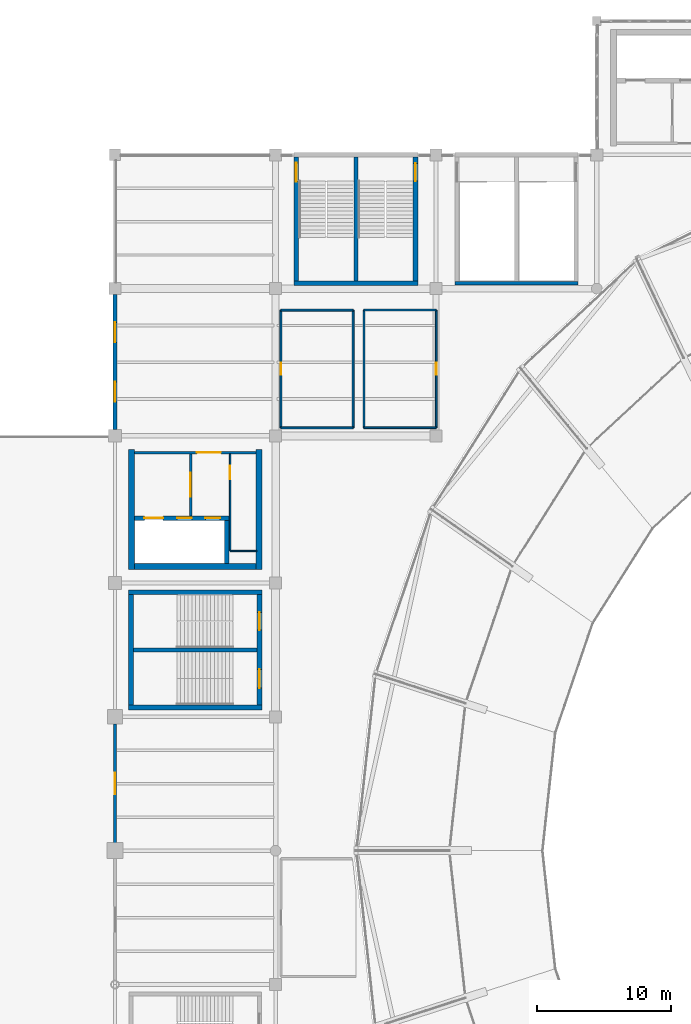
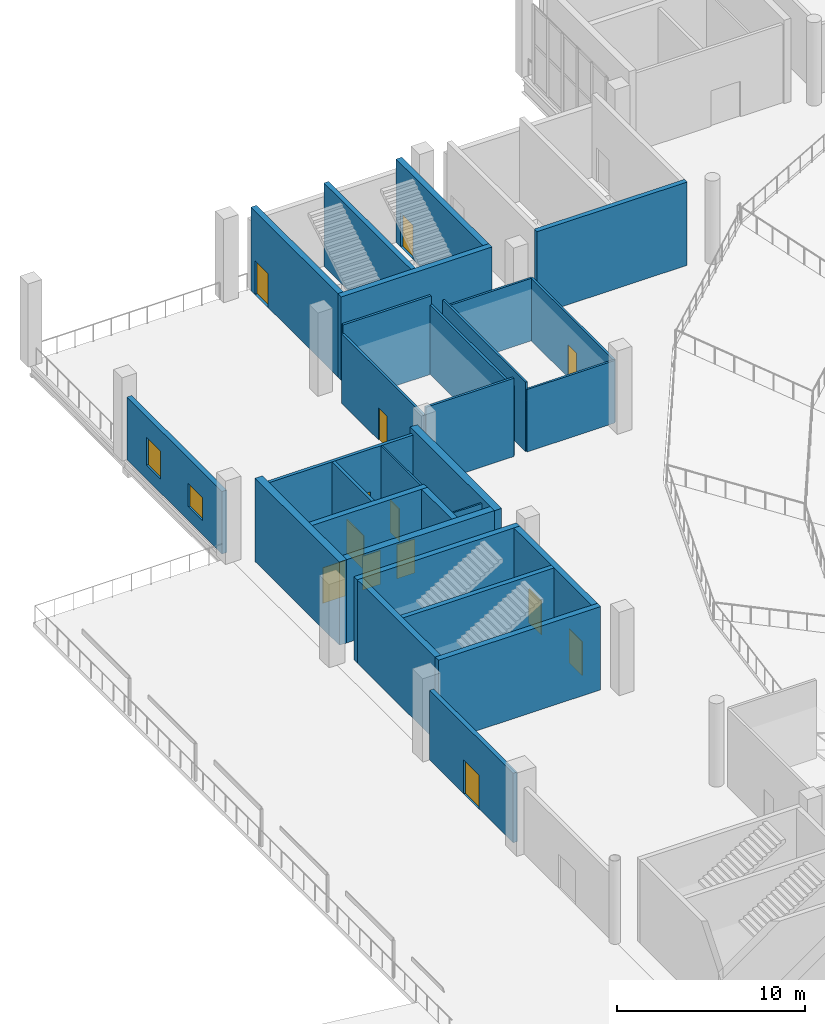
# One storey, part 53 of 74: 29 walls, 13 doors, 2 windows, 15 openings.
"""IFC4 building model written with IfcOpenShell, lengths in metres."""

import ifcopenshell
import ifcopenshell.guid

model = None  # the IFC model being written
_history = None  # IfcOwnerHistory: only IFC2X3 demands one
_inside = {}  # id of a spatial element -> (the spatial element, [elements in it])
_under = {}  # id of a project, library or spatial element -> (it, [spatial elements below it])
_declared = {}  # id of a project -> (the project, [libraries it declares])
_typed = {}  # id of a type object -> (the type object, [elements of that type])
_made_of = {}  # id of a material, layer set ... -> (it, [elements and type objects made of it])


def new_model(schema):
    """Start an empty IFC model of exactly this schema.

    Asked for "IFC4X3", IfcOpenShell would pick the latest addendum, in which some entities
    have other attributes; the version numbers below select the first issue.
    IFC2X3 requires an IfcOwnerHistory on every rooted entity: one is made here for all.
    """
    global model, _history
    if schema == "IFC4X3":
        model = ifcopenshell.file(schema_version=(4, 3, 0, 0))
    else:
        model = ifcopenshell.file(schema=schema)
    _inside.clear()
    _under.clear()
    _declared.clear()
    _typed.clear()
    _made_of.clear()
    _history = None
    if model.schema == "IFC2X3":
        org = make("IfcOrganization", Name="unknown")
        user = make(
            "IfcPersonAndOrganization",
            ThePerson=make("IfcPerson", FamilyName="unknown"),
            TheOrganization=org,
        )
        app = make(
            "IfcApplication",
            ApplicationDeveloper=org,
            Version="unknown",
            ApplicationFullName="unknown",
            ApplicationIdentifier="unknown",
        )
        _history = make(
            "IfcOwnerHistory",
            OwningUser=user,
            OwningApplication=app,
            ChangeAction="ADDED",
            CreationDate=0,
        )
    return model


def make(cls, **values):
    """One entity of the class cls with the attributes given. An attribute that is None is left unset."""
    return model.create_entity(
        cls, **{name: value for name, value in values.items() if value is not None}
    )


def rooted(cls, **values):
    """An entity with a GlobalId (a new one), such as an element, a storey or a relation."""
    return make(cls, GlobalId=ifcopenshell.guid.new(), OwnerHistory=_history, **values)


def si_unit(unit_type, name, prefix=None):
    """IfcSIUnit, for example si_unit("LENGTHUNIT", "METRE", prefix="MILLI")."""
    return make("IfcSIUnit", UnitType=unit_type, Prefix=prefix, Name=name)


def assignment(units):
    """IfcUnitAssignment: the units of a project."""
    return None if units is None else make("IfcUnitAssignment", Units=units)


def point(xyz):
    """IfcCartesianPoint."""
    return None if xyz is None else make("IfcCartesianPoint", Coordinates=xyz)


def direction(xyz):
    """IfcDirection."""
    return None if xyz is None else make("IfcDirection", DirectionRatios=xyz)


def frame(location, z_axis=None, x_axis=None):
    """IfcAxis2Placement3D, a coordinate frame: its origin and axes. An axis left out is left unset."""
    return make(
        "IfcAxis2Placement3D",
        Location=point(location),
        Axis=direction(z_axis),
        RefDirection=direction(x_axis),
    )


def frame_2d(location, x_axis=None):
    """IfcAxis2Placement2D, a coordinate frame in the plane: its origin and x axis."""
    return make(
        "IfcAxis2Placement2D", Location=point(location), RefDirection=direction(x_axis)
    )


def origin():
    """The frame at (0, 0, 0) with its axes left unset."""
    return frame((0.0, 0.0, 0.0))


def place(relative_to, where):
    """IfcLocalPlacement: puts the frame where relative to a parent placement (None: the world)."""
    return make(
        "IfcLocalPlacement", PlacementRelTo=relative_to, RelativePlacement=where
    )


def context(
    kind, dimensions, precision=None, world=None, true_north=None, identifier=None
):
    """IfcGeometricRepresentationContext, for example the 3D "Model" context."""
    return make(
        "IfcGeometricRepresentationContext",
        ContextIdentifier=identifier,
        ContextType=kind,
        CoordinateSpaceDimension=dimensions,
        Precision=precision,
        WorldCoordinateSystem=world,
        TrueNorth=true_north,
    )


def subcontext(parent, identifier, kind, view, scale=None):
    """IfcGeometricRepresentationSubContext, for example "Body" below "Model"."""
    return make(
        "IfcGeometricRepresentationSubContext",
        ContextIdentifier=identifier,
        ContextType=kind,
        ParentContext=parent,
        TargetScale=scale,
        TargetView=view,
    )


def project(units=None, contexts=None):
    """IfcProject with its units and contexts."""
    return rooted(
        "IfcProject",
        Name="project",
        RepresentationContexts=contexts,
        UnitsInContext=assignment(units),
    )


def spatial(cls, under=None, at=None, **own):
    """A site, building, storey or space (cls), placed at a placement, below another one or the project."""
    s = rooted(cls, ObjectPlacement=at, **own)
    if under is not None:
        _under.setdefault(under.id(), (under, []))[1].append(s)
    return s


def profile(cls, at=None, kind="AREA", **sizes):
    """A parametric profile (cls). Its sizes go by their IFC names, for example OverallWidth=200.0."""
    return make(cls, ProfileType=kind, Position=at, **sizes)


def rectangle(**sizes):
    """IfcRectangleProfileDef."""
    return profile("IfcRectangleProfileDef", **sizes)


def extrude(swept, where, along, depth):
    """IfcExtrudedAreaSolid: the profile swept, set in the frame where, extruded along a direction by depth."""
    return make(
        "IfcExtrudedAreaSolid",
        SweptArea=swept,
        Position=where,
        ExtrudedDirection=direction(along),
        Depth=depth,
    )


def shape(context_of_items, identifier, shape_type, items):
    """IfcShapeRepresentation: the items that make up one representation, for example the "Body"."""
    return make(
        "IfcShapeRepresentation",
        ContextOfItems=context_of_items,
        RepresentationIdentifier=identifier,
        RepresentationType=shape_type,
        Items=items,
    )


def material(Name=None, Category=None):
    """IfcMaterial."""
    return make("IfcMaterial", Name=Name, Category=Category)


def layer(
    of_material, thickness, ventilated=None, Name=None, Category=None, Priority=None
):
    """IfcMaterialLayer: one layer of a wall or slab, of a material (None: an air gap)."""
    return make(
        "IfcMaterialLayer",
        Material=of_material,
        LayerThickness=thickness,
        IsVentilated=ventilated,
        Name=Name,
        Category=Category,
        Priority=Priority,
    )


def layer_set(layers, Name=None):
    """IfcMaterialLayerSet."""
    return make("IfcMaterialLayerSet", MaterialLayers=layers, LayerSetName=Name)


def made_of(thing, what):
    """Note that an element or type object is made of a material, layer set ...; save() writes the relation."""
    if what is not None:
        _made_of.setdefault(what.id(), (what, []))[1].append(thing)
    return thing


def type_object(cls, material=None, **own):
    """A type object (cls), such as IfcWallType, which elements share."""
    return made_of(rooted(cls, **own), material)


def element(
    cls,
    number,
    at=None,
    inside=None,
    cuts=None,
    type_object=None,
    material=None,
    context=None,
    identifier="Body",
    shape_type=None,
    held_by="IfcProductDefinitionShape",
    body=None,
    shapes=None,
    **own,
):
    """One element of the class cls, such as IfcWall. Its Tag is "e" and its number.

    at: its placement. inside: the storey or other place that contains it. cuts: it is an
    opening in that element (IfcRelVoidsElement). A single representation is given by context,
    identifier, shape_type and body (its items); several are given by shapes. held_by: the class
    of the entity that holds the representations. save() writes the other relations.
    """
    e = rooted(cls, Tag="e%d" % number, ObjectPlacement=at, **own)
    if body is not None:
        shapes = [shape(context, identifier, shape_type, body)]
    if shapes is not None:
        e.Representation = make(held_by, Representations=shapes)
    if inside is not None:
        _inside.setdefault(inside.id(), (inside, []))[1].append(e)
    if cuts is not None:
        rooted(
            "IfcRelVoidsElement", RelatingBuildingElement=cuts, RelatedOpeningElement=e
        )
    if type_object is not None:
        _typed.setdefault(type_object.id(), (type_object, []))[1].append(e)
    return made_of(e, material)


def fill(opening, filler):
    """IfcRelFillsElement: the door or window that sits in an opening."""
    return rooted(
        "IfcRelFillsElement",
        RelatingOpeningElement=opening,
        RelatedBuildingElement=filler,
    )


def aggregate(whole, parts):
    """IfcRelAggregates: a whole, such as a stair, and the parts it consists of."""
    return rooted("IfcRelAggregates", RelatingObject=whole, RelatedObjects=parts)


def save(model, path):
    """Write the relations noted so far, then the file.

    IfcRelAggregates (storeys below a building ...), IfcRelContainedInSpatialStructure (elements
    in a storey), IfcRelDefinesByType, IfcRelAssociatesMaterial and IfcRelDeclares: one each for
    every whole, place, type object, material and project.
    """
    for whole, parts in _under.values():
        aggregate(whole, parts)
    for where, things in _inside.values():
        rooted(
            "IfcRelContainedInSpatialStructure",
            RelatedElements=things,
            RelatingStructure=where,
        )
    for kind, things in _typed.values():
        rooted("IfcRelDefinesByType", RelatedObjects=things, RelatingType=kind)
    for what, things in _made_of.values():
        rooted("IfcRelAssociatesMaterial", RelatedObjects=things, RelatingMaterial=what)
    for by, libraries in _declared.values():
        rooted("IfcRelDeclares", RelatingContext=by, RelatedDefinitions=libraries)
    model.write(path)


model = new_model("IFC4")

# Units and contexts
model_context = context("Model", 3, precision=1e-05, world=origin(), true_north=direction((0.0, 1.0)))
body_context = subcontext(model_context, "Body", "Model", "MODEL_VIEW")
ifc_project = project(units=[si_unit("LENGTHUNIT", "METRE"), si_unit("AREAUNIT", "SQUARE_METRE"), si_unit("VOLUMEUNIT", "CUBIC_METRE"), si_unit("PLANEANGLEUNIT", "RADIAN"), si_unit("MASSUNIT", "GRAM", prefix="KILO")], contexts=[model_context])

# Site, building, storey
site_placement = place(None, origin())
site = spatial("IfcSite", under=ifc_project, at=site_placement, CompositionType="ELEMENT")
building_placement = place(site_placement, origin())
building = spatial("IfcBuilding", under=site, at=building_placement, Name="Brinegate Civic Arena", CompositionType="ELEMENT")
storey_placement = place(building_placement, frame((0.0, 0.0, 19.199951171875)))
storey = spatial("IfcBuildingStorey", under=building, at=storey_placement, Name="L04", CompositionType="ELEMENT", Elevation=19.199951171875)

# Wall
ifc_material_1 = material(Name="Concrete C50/60", Category="concrete")
ifc_layer_1 = layer(ifc_material_1, 0.35009765625, Name="Concrete C50/60")
ifc_layer_set_1 = layer_set([ifc_layer_1], Name="Concrete C50/60")
wall_type_1 = type_object("IfcWallType", Name="WALL-CORE-SHEAR-350", PredefinedType="SHEAR", material=ifc_layer_set_1)
wall_1_placement = place(storey_placement, frame((61.375, 104.39990234375, 0.0), z_axis=(0.0, 0.0, 1.0), x_axis=(1.0, 0.0, 0.0)))
element("IfcWall", 1, at=wall_1_placement, inside=storey, type_object=wall_type_1, Name="Stair ST-01 South Shear Wall L04 (WBB-22)", PredefinedType="SHEAR", context=body_context, shape_type="SweptSolid", body=[
    extrude(rectangle(XDim=9.25, YDim=0.35009765625, at=frame_2d((4.625, 0.0))), origin(), (0.0, 0.0, 1.0), 5.400146484375),
])

# Wall, opening, door
wall_2_placement = place(storey_placement, frame((61.550048828125, 104.574951171875, 0.0), z_axis=(0.0, 0.0, 1.0), x_axis=(0.0, 1.0, 0.0)))
wall_2 = element("IfcWall", 2, at=wall_2_placement, inside=storey, type_object=wall_type_1, Name="Stair ST-01 West Shear Wall L04 (WBB-24)", PredefinedType="SHEAR", context=body_context, shape_type="SweptSolid", body=[
    extrude(rectangle(XDim=9.25, YDim=0.35009765625, at=frame_2d((4.625, 0.0))), origin(), (0.0, 0.0, 1.0), 5.400146484375),
])
opening_1_placement = place(wall_2_placement, frame((7.425048828125, 0.0, 0.0)))
opening_1 = element("IfcOpeningElement", 3, at=opening_1_placement, cuts=wall_2, Name="Opening D-ST01A-L04", PredefinedType="OPENING", context=body_context, shape_type="SweptSolid", body=[
    extrude(rectangle(XDim=1.39990234375, YDim=2.199951171875, at=frame_2d((0.699951171875, 1.10009765625))), frame((0.0, 0.18505859375, 0.0), z_axis=(0.0, -1.0, 0.0), x_axis=(1.0, 0.0, 0.0)), (0.0, 0.0, 1.0), 0.3701171875),
])
ifc_material_2 = material(Name="Galvanized hurricane steel", Category="steel")
door_type_1 = type_object("IfcDoorType", Name="DOOR-STAIR-2400X2200", OperationType="NOTDEFINED", PredefinedType="DOOR", material=ifc_material_2)
door_1_placement = place(opening_1_placement, frame((1.39990234375, 0.0, 0.0), z_axis=(0.0, 0.0, 1.0), x_axis=(-1.0, 0.0, 0.0)))
door_1 = element("IfcDoor", 4, at=door_1_placement, inside=storey, type_object=door_type_1, Name="Protected Exit Stair Door D-ST01A-L04", OperationType="DOUBLE_DOOR_SINGLE_SWING", OverallHeight=2.199951171875, OverallWidth=1.39990234375, PredefinedType="DOOR", context=body_context, shape_type="SweptSolid", body=[
    extrude(rectangle(XDim=1.39990234375, YDim=2.199951171875, at=frame_2d((0.699951171875, 1.10009765625))), frame((0.0, 0.02490234375, 0.0), z_axis=(0.0, -1.0, 0.0), x_axis=(1.0, 0.0, 0.0)), (0.0, 0.0, 1.0), 0.050048828125),
])
fill(opening_1, door_1)

wall_3_placement = place(storey_placement, frame((70.449951171875, 104.574951171875, 0.0), z_axis=(0.0, 0.0, 1.0), x_axis=(0.0, 1.0, 0.0)))
wall_3 = element("IfcWall", 5, at=wall_3_placement, inside=storey, type_object=wall_type_1, Name="Stair ST-01 East Shear Wall L04 (WBB-25)", PredefinedType="SHEAR", context=body_context, shape_type="SweptSolid", body=[
    extrude(rectangle(XDim=9.25, YDim=0.35009765625, at=frame_2d((4.625, 0.0))), origin(), (0.0, 0.0, 1.0), 5.400146484375),
])
opening_2_placement = place(wall_3_placement, frame((7.465087890625, 0.0, 0.0)))
opening_2 = element("IfcOpeningElement", 6, at=opening_2_placement, cuts=wall_3, Name="Opening D-ST01B-L04", PredefinedType="OPENING", context=body_context, shape_type="SweptSolid", body=[
    extrude(rectangle(XDim=1.320068359375, YDim=2.199951171875, at=frame_2d((0.66015625, 1.10009765625))), frame((0.0, 0.18505859375, 0.0), z_axis=(0.0, -1.0, 0.0), x_axis=(1.0, 0.0, 0.0)), (0.0, 0.0, 1.0), 0.3701171875),
])
door_type_2 = type_object("IfcDoorType", Name="DOOR-STAIR-2200X2200", OperationType="NOTDEFINED", PredefinedType="DOOR", material=ifc_material_2)
door_2_placement = place(opening_2_placement, origin())
door_2 = element("IfcDoor", 7, at=door_2_placement, inside=storey, type_object=door_type_2, Name="Protected Exit Stair Door D-ST01B-L04", OperationType="DOUBLE_DOOR_SINGLE_SWING", OverallHeight=2.199951171875, OverallWidth=1.320068359375, PredefinedType="DOOR", context=body_context, shape_type="SweptSolid", body=[
    extrude(rectangle(XDim=1.320068359375, YDim=2.199951171875, at=frame_2d((0.66015625, 1.10009765625))), frame((0.0, 0.02490234375, 0.0), z_axis=(0.0, -1.0, 0.0), x_axis=(1.0, 0.0, 0.0)), (0.0, 0.0, 1.0), 0.050048828125),
])
fill(opening_2, door_2)

# Walls
for number, where, z_axis, x_axis, name in (
    (8, (49.02490234375, 72.699951171875, 0.0), (0.0, 0.0, 1.0), (1.0, 0.0, 0.0), "Stair ST-07 South Shear Wall L04 (WBC-88)"),
    (9, (49.02490234375, 81.300048828125, 0.0), (0.0, 0.0, 1.0), (1.0, 0.0, 0.0), "Stair ST-07 North Shear Wall L04 (WBC-89)"),
):
    element("IfcWall", number, at=place(storey_placement, frame(where, z_axis=z_axis, x_axis=x_axis)), inside=storey, type_object=wall_type_1, Name=name, PredefinedType="SHEAR", context=body_context, shape_type="SweptSolid", body=[
        extrude(rectangle(XDim=9.9501953125, YDim=0.35009765625, at=frame_2d((4.97509765625, 0.0))), origin(), (0.0, 0.0, 1.0), 5.400146484375),
    ])
wall_4_placement = place(storey_placement, frame((49.199951171875, 72.875, 0.0), z_axis=(0.0, 0.0, 1.0), x_axis=(0.0, 1.0, 0.0)))
element("IfcWall", 10, at=wall_4_placement, inside=storey, type_object=wall_type_1, Name="Stair ST-07 West Shear Wall L04 (WBC-90)", PredefinedType="SHEAR", context=body_context, shape_type="SweptSolid", body=[
    extrude(rectangle(XDim=8.25, YDim=0.35009765625, at=frame_2d((4.125, 0.0))), origin(), (0.0, 0.0, 1.0), 5.400146484375),
])

# Wall, openings, doors
wall_5_placement = place(storey_placement, frame((58.800048828125, 72.875, 0.0), z_axis=(0.0, 0.0, 1.0), x_axis=(0.0, 1.0, 0.0)))
wall_5 = element("IfcWall", 11, at=wall_5_placement, inside=storey, type_object=wall_type_1, Name="Stair ST-07 East Shear Wall L04 (WBC-91)", PredefinedType="SHEAR", context=body_context, shape_type="SweptSolid", body=[
    extrude(rectangle(XDim=8.25, YDim=0.35009765625, at=frame_2d((4.125, 0.0))), origin(), (0.0, 0.0, 1.0), 5.400146484375),
])
opening_3_placement = place(wall_5_placement, frame((1.27490234375, 0.0, 0.0)))
opening_3 = element("IfcOpeningElement", 12, at=opening_3_placement, cuts=wall_5, Name="Opening D-ST07A-L04", PredefinedType="OPENING", context=body_context, shape_type="SweptSolid", body=[
    extrude(rectangle(XDim=1.39990234375, YDim=2.199951171875, at=frame_2d((0.699951171875, 1.10009765625))), frame((0.0, 0.18505859375, 0.0), z_axis=(0.0, -1.0, 0.0), x_axis=(1.0, 0.0, 0.0)), (0.0, 0.0, 1.0), 0.3701171875),
])
opening_4_placement = place(wall_5_placement, frame((5.614990234375, 0.0, 0.0)))
opening_4 = element("IfcOpeningElement", 13, at=opening_4_placement, cuts=wall_5, Name="Opening D-ST07B-L04", PredefinedType="OPENING", context=body_context, shape_type="SweptSolid", body=[
    extrude(rectangle(XDim=1.320068359375, YDim=2.199951171875, at=frame_2d((0.66015625, 1.10009765625))), frame((0.0, 0.18505859375, 0.0), z_axis=(0.0, -1.0, 0.0), x_axis=(1.0, 0.0, 0.0)), (0.0, 0.0, 1.0), 0.3701171875),
])
door_3_placement = place(opening_4_placement, origin())
door_3 = element("IfcDoor", 14, at=door_3_placement, inside=storey, type_object=door_type_2, Name="Protected Exit Stair Door D-ST07B-L04", OperationType="DOUBLE_DOOR_SINGLE_SWING", OverallHeight=2.199951171875, OverallWidth=1.320068359375, PredefinedType="DOOR", context=body_context, shape_type="SweptSolid", body=[
    extrude(rectangle(XDim=1.320068359375, YDim=2.199951171875, at=frame_2d((0.66015625, 1.10009765625))), frame((0.0, 0.02490234375, 0.0), z_axis=(0.0, -1.0, 0.0), x_axis=(1.0, 0.0, 0.0)), (0.0, 0.0, 1.0), 0.050048828125),
])
fill(opening_4, door_3)
door_4_placement = place(opening_3_placement, origin())
door_4 = element("IfcDoor", 15, at=door_4_placement, inside=storey, type_object=door_type_1, Name="Protected Exit Stair Door D-ST07A-L04", OperationType="DOUBLE_DOOR_SINGLE_SWING", OverallHeight=2.199951171875, OverallWidth=1.39990234375, PredefinedType="DOOR", context=body_context, shape_type="SweptSolid", body=[
    extrude(rectangle(XDim=1.39990234375, YDim=2.199951171875, at=frame_2d((0.699951171875, 1.10009765625))), frame((0.0, 0.02490234375, 0.0), z_axis=(0.0, -1.0, 0.0), x_axis=(1.0, 0.0, 0.0)), (0.0, 0.0, 1.0), 0.050048828125),
])
fill(opening_3, door_4)

wall_6_placement = place(storey_placement, frame((49.47509765625, 86.85009765625, 0.0), z_axis=(0.0, 0.0, 1.0), x_axis=(1.0, 0.0, 0.0)))
wall_6 = element("IfcWall", 16, at=wall_6_placement, inside=storey, type_object=wall_type_1, Name="Core K1 Lift Shaft Front Wall L04 (WBF-75)", PredefinedType="SHEAR", context=body_context, shape_type="SweptSolid", body=[
    extrude(rectangle(XDim=7.0498046875, YDim=0.35009765625, at=frame_2d((3.52490234375, 0.0))), origin(), (0.0, 0.0, 1.0), 5.400146484375),
])
opening_5_placement = place(wall_6_placement, frame((0.72509765625, 0.0, 0.0)))
opening_5 = element("IfcOpeningElement", 17, at=opening_5_placement, cuts=wall_6, Name="Opening LD-FL1-L04", PredefinedType="OPENING", context=body_context, shape_type="SweptSolid", body=[
    extrude(rectangle(XDim=1.39990234375, YDim=2.300048828125, at=frame_2d((0.699951171875, 1.14990234375))), frame((0.0, 0.18505859375, 0.0), z_axis=(0.0, -1.0, 0.0), x_axis=(1.0, 0.0, 0.0)), (0.0, 0.0, 1.0), 0.3701171875),
])
opening_6_placement = place(wall_6_placement, frame((3.175048828125, 0.0, 0.0)))
opening_6 = element("IfcOpeningElement", 18, at=opening_6_placement, cuts=wall_6, Name="Opening LD-PL1-L04", PredefinedType="OPENING", context=body_context, shape_type="SweptSolid", body=[
    extrude(rectangle(XDim=1.10009765625, YDim=2.199951171875, at=frame_2d((0.550048828125, 1.10009765625))), frame((0.0, 0.18505859375, 0.0), z_axis=(0.0, -1.0, 0.0), x_axis=(1.0, 0.0, 0.0)), (0.0, 0.0, 1.0), 0.3701171875),
])
opening_7_placement = place(wall_6_placement, frame((5.27490234375, 0.0, 0.0)))
opening_7 = element("IfcOpeningElement", 19, at=opening_7_placement, cuts=wall_6, Name="Opening LD-PL2-L04", PredefinedType="OPENING", context=body_context, shape_type="SweptSolid", body=[
    extrude(rectangle(XDim=1.10009765625, YDim=2.199951171875, at=frame_2d((0.550048828125, 1.10009765625))), frame((0.0, 0.18505859375, 0.0), z_axis=(0.0, -1.0, 0.0), x_axis=(1.0, 0.0, 0.0)), (0.0, 0.0, 1.0), 0.3701171875),
])
ifc_material_3 = material(Name="Architectural stainless steel balustrade", Category="steel")
door_type_3 = type_object("IfcDoorType", Name="DOOR-LIFT-1100X2200", OperationType="SLIDING_TO_LEFT", PredefinedType="DOOR", material=ifc_material_3)
door_5_placement = place(opening_6_placement, origin())
door_5 = element("IfcDoor", 20, at=door_5_placement, inside=storey, type_object=door_type_3, Name="Sliding Lift Landing Door LD-PL1-L04", OperationType="SLIDING_TO_LEFT", OverallHeight=2.199951171875, OverallWidth=1.10009765625, PredefinedType="DOOR", context=body_context, shape_type="SweptSolid", body=[
    extrude(rectangle(XDim=1.10009765625, YDim=2.199951171875, at=frame_2d((0.550048828125, 1.10009765625))), frame((0.0, 0.02490234375, 0.0), z_axis=(0.0, -1.0, 0.0), x_axis=(1.0, 0.0, 0.0)), (0.0, 0.0, 1.0), 0.050048828125),
])
fill(opening_6, door_5)
door_6_placement = place(opening_7_placement, origin())
door_6 = element("IfcDoor", 21, at=door_6_placement, inside=storey, type_object=door_type_3, Name="Sliding Lift Landing Door LD-PL2-L04", OperationType="SLIDING_TO_LEFT", OverallHeight=2.199951171875, OverallWidth=1.10009765625, PredefinedType="DOOR", context=body_context, shape_type="SweptSolid", body=[
    extrude(rectangle(XDim=1.10009765625, YDim=2.199951171875, at=frame_2d((0.550048828125, 1.10009765625))), frame((0.0, 0.02490234375, 0.0), z_axis=(0.0, -1.0, 0.0), x_axis=(1.0, 0.0, 0.0)), (0.0, 0.0, 1.0), 0.050048828125),
])
fill(opening_7, door_6)
door_type_4 = type_object("IfcDoorType", Name="DOOR-LIFT-1400X2300", OperationType="SLIDING_TO_LEFT", PredefinedType="DOOR", material=ifc_material_3)
door_7_placement = place(opening_5_placement, origin())
door_7 = element("IfcDoor", 22, at=door_7_placement, inside=storey, type_object=door_type_4, Name="Sliding Lift Landing Door LD-FL1-L04", OperationType="SLIDING_TO_LEFT", OverallHeight=2.300048828125, OverallWidth=1.39990234375, PredefinedType="DOOR", context=body_context, shape_type="SweptSolid", body=[
    extrude(rectangle(XDim=1.39990234375, YDim=2.300048828125, at=frame_2d((0.699951171875, 1.14990234375))), frame((0.0, 0.02490234375, 0.0), z_axis=(0.0, -1.0, 0.0), x_axis=(1.0, 0.0, 0.0)), (0.0, 0.0, 1.0), 0.050048828125),
])
fill(opening_5, door_7)

# Walls
wall_7_placement = place(storey_placement, frame((56.35009765625, 83.47509765625, 0.0), z_axis=(0.0, 0.0, 1.0), x_axis=(0.0, 1.0, 0.0)))
element("IfcWall", 23, at=wall_7_placement, inside=storey, type_object=wall_type_1, Name="Core K1 Lift Shaft End Wall L04 (WBF-76)", PredefinedType="SHEAR", context=body_context, shape_type="SweptSolid", body=[
    extrude(rectangle(XDim=3.199951171875, YDim=0.35009765625, at=frame_2d((1.60009765625, 0.0))), origin(), (0.0, 0.0, 1.0), 5.400146484375),
])
ifc_layer_2 = layer(ifc_material_1, 0.449951171875, Name="Concrete C50/60")
ifc_layer_set_2 = layer_set([ifc_layer_2], Name="Concrete C50/60")
wall_type_2 = type_object("IfcWallType", Name="WALL-CORE-SHEAR-450", PredefinedType="SHEAR", material=ifc_layer_set_2)
for number, where, z_axis, x_axis, name in (
    (24, (49.25, 83.02490234375, 0.0), (0.0, 0.0, 1.0), (0.0, 1.0, 0.0), "Core K1 West Shear Wall L04 (WBF-72)"),
    (25, (58.75, 83.02490234375, 0.0), (0.0, 0.0, 1.0), (0.0, 1.0, 0.0), "Core K1 East Shear Wall L04 (WBF-73)"),
):
    element("IfcWall", number, at=place(storey_placement, frame(where, z_axis=z_axis, x_axis=x_axis)), inside=storey, type_object=wall_type_2, Name=name, PredefinedType="SHEAR", context=body_context, shape_type="SweptSolid", body=[
        extrude(rectangle(XDim=8.9501953125, YDim=0.449951171875, at=frame_2d((4.47509765625, 0.0))), origin(), (0.0, 0.0, 1.0), 5.400146484375),
    ])
wall_8_placement = place(storey_placement, frame((49.47509765625, 83.25, 0.0), z_axis=(0.0, 0.0, 1.0), x_axis=(1.0, 0.0, 0.0)))
element("IfcWall", 26, at=wall_8_placement, inside=storey, type_object=wall_type_2, Name="Core K1 South Shear Wall L04 (WBF-74)", PredefinedType="SHEAR", context=body_context, shape_type="SweptSolid", body=[
    extrude(rectangle(XDim=9.0498046875, YDim=0.449951171875, at=frame_2d((4.52490234375, 0.0))), origin(), (0.0, 0.0, 1.0), 5.400146484375),
])

# Wall, opening, door
ifc_material_4 = material(Name="Concrete C40/50", Category="concrete")
ifc_layer_3 = layer(ifc_material_4, 0.260009765625, Name="Concrete C40/50")
ifc_layer_set_3 = layer_set([ifc_layer_3], Name="Concrete C40/50")
wall_type_3 = type_object("IfcWallType", Name="WALL-EXT-CONC-260", PredefinedType="SOLIDWALL", material=ifc_layer_set_3)
wall_9_placement = place(storey_placement, frame((48.0, 62.5849609375, 0.0), z_axis=(0.0, 0.0, 1.0), x_axis=(0.0, 1.0, 0.0)))
wall_9 = element("IfcWall", 27, at=wall_9_placement, inside=storey, type_object=wall_type_3, Name="L04 Loggia Access Wall 02 (WBA-19)", PredefinedType="SOLIDWALL", context=body_context, shape_type="SweptSolid", body=[
    extrude(rectangle(XDim=8.880126953125, YDim=0.260009765625, at=frame_2d((4.43994140625, 0.0))), origin(), (0.0, 0.0, 1.0), 4.506103515625),
])
opening_8_placement = place(wall_9_placement, frame((3.639892578125, 0.0, 0.0)))
opening_8 = element("IfcOpeningElement", 28, at=opening_8_placement, cuts=wall_9, Name="Opening D-L04-LOG2", PredefinedType="OPENING", context=body_context, shape_type="SweptSolid", body=[
    extrude(rectangle(XDim=1.60009765625, YDim=2.199951171875, at=frame_2d((0.800048828125, 1.10009765625))), frame((0.0, 0.139892578125, 0.0), z_axis=(0.0, -1.0, 0.0), x_axis=(1.0, 0.0, 0.0)), (0.0, 0.0, 1.0), 0.280029296875),
])
ifc_material_5 = material(Name="Marine grade aluminium", Category="aluminium")
door_type_5 = type_object("IfcDoorType", Name="DOOR-LOGGIA-1600X2200", OperationType="NOTDEFINED", PredefinedType="DOOR", material=ifc_material_5)
door_8_placement = place(opening_8_placement, origin())
door_8 = element("IfcDoor", 29, at=door_8_placement, inside=storey, type_object=door_type_5, Name="Loggia Terrace Access Door D-L04-LOG2", OperationType="SINGLE_SWING_RIGHT", OverallHeight=2.199951171875, OverallWidth=1.60009765625, PredefinedType="DOOR", context=body_context, shape_type="SweptSolid", body=[
    extrude(rectangle(XDim=1.60009765625, YDim=2.199951171875, at=frame_2d((0.800048828125, 1.10009765625))), frame((0.0, 0.02490234375, 0.0), z_axis=(0.0, -1.0, 0.0), x_axis=(1.0, 0.0, 0.0)), (0.0, 0.0, 1.0), 0.050048828125),
])
fill(opening_8, door_8)

# Wall, openings, windows
ifc_material_6 = material(Name="Precast concrete C45/55", Category="concrete")
ifc_layer_4 = layer(ifc_material_6, 0.300048828125, Name="Precast concrete C45/55")
ifc_layer_set_4 = layer_set([ifc_layer_4], Name="Precast concrete C45/55")
wall_type_4 = type_object("IfcWallType", Name="WALL-EXT-PRECAST-300", PredefinedType="SOLIDWALL", material=ifc_layer_set_4)
wall_10_placement = place(storey_placement, frame((48.0, 93.4599609375, 0.0), z_axis=(0.0, 0.0, 1.0), x_axis=(0.0, 1.0, 0.0)))
wall_10 = element("IfcWall", 30, at=wall_10_placement, inside=storey, type_object=wall_type_4, Name="Perimeter Window Wall L04-17 (WBA-17)", PredefinedType="SOLIDWALL", context=body_context, shape_type="SweptSolid", body=[
    extrude(rectangle(XDim=10.10498046875, YDim=0.300048828125, at=frame_2d((5.052490234375, 0.0))), origin(), (0.0, 0.0, 1.0), 4.050048828125),
])
opening_9_placement = place(wall_10_placement, frame((2.0791015625, 0.0, 0.89990234375)))
opening_9 = element("IfcOpeningElement", 31, at=opening_9_placement, cuts=wall_10, Name="Opening WN-0031", PredefinedType="OPENING", context=body_context, shape_type="SweptSolid", body=[
    extrude(rectangle(XDim=1.5, YDim=1.5, at=frame_2d((0.75, 0.75))), frame((0.0, 0.159912109375, 0.0), z_axis=(0.0, -1.0, 0.0), x_axis=(1.0, 0.0, 0.0)), (0.0, 0.0, 1.0), 0.320068359375),
])
opening_10_placement = place(wall_10_placement, frame((6.52587890625, 0.0, 0.89990234375)))
opening_10 = element("IfcOpeningElement", 32, at=opening_10_placement, cuts=wall_10, Name="Opening WN-0032", PredefinedType="OPENING", context=body_context, shape_type="SweptSolid", body=[
    extrude(rectangle(XDim=1.5, YDim=1.800048828125, at=frame_2d((0.75, 0.89990234375))), frame((0.0, 0.159912109375, 0.0), z_axis=(0.0, -1.0, 0.0), x_axis=(1.0, 0.0, 0.0)), (0.0, 0.0, 1.0), 0.320068359375),
])
ifc_material_7 = material(Name="Hurricane laminated low-E glass", Category="glass")
window_type_1 = type_object("IfcWindowType", Name="WIN-CASEMENT-1500X1500", PartitioningType="SINGLE_PANEL", PredefinedType="WINDOW", material=ifc_material_7)
window_1_placement = place(opening_9_placement, origin())
window_1 = element("IfcWindow", 33, at=window_1_placement, inside=storey, type_object=window_type_1, Name="Window WN-0031", OverallHeight=1.5, OverallWidth=1.5, PartitioningType="SINGLE_PANEL", PredefinedType="WINDOW", context=body_context, shape_type="SweptSolid", body=[
    extrude(rectangle(XDim=1.5, YDim=1.5, at=frame_2d((0.75, 0.75))), frame((0.0, 0.030029296875, 0.0), z_axis=(0.0, -1.0, 0.0), x_axis=(1.0, 0.0, 0.0)), (0.0, 0.0, 1.0), 0.06005859375),
])
fill(opening_9, window_1)
window_type_2 = type_object("IfcWindowType", Name="WIN-CASEMENT-1500X1800", PartitioningType="SINGLE_PANEL", PredefinedType="WINDOW", material=ifc_material_7)
window_2_placement = place(opening_10_placement, origin())
window_2 = element("IfcWindow", 34, at=window_2_placement, inside=storey, type_object=window_type_2, Name="Window WN-0032", OverallHeight=1.800048828125, OverallWidth=1.5, PartitioningType="SINGLE_PANEL", PredefinedType="WINDOW", context=body_context, shape_type="SweptSolid", body=[
    extrude(rectangle(XDim=1.5, YDim=1.800048828125, at=frame_2d((0.75, 0.89990234375))), frame((0.0, 0.030029296875, 0.0), z_axis=(0.0, -1.0, 0.0), x_axis=(1.0, 0.0, 0.0)), (0.0, 0.0, 1.0), 0.06005859375),
])
fill(opening_10, window_2)

# Wall, opening, door
ifc_material_8 = material(Name="Fire-rated gypsum partition assembly")
ifc_layer_5 = layer(ifc_material_8, 0.1298828125, Name="Fire-rated gypsum partition assembly")
ifc_layer_set_5 = layer_set([ifc_layer_5], Name="Fire-rated gypsum partition assembly")
wall_type_5 = type_object("IfcWallType", Name="WALL-PART-ACOUSTIC-130", PredefinedType="PARTITIONING", material=ifc_layer_set_5)
wall_11_placement = place(storey_placement, frame((72.0, 102.39990234375, 0.0), z_axis=(0.0, 0.0, 1.0), x_axis=(0.0, -1.0, 0.0)))
wall_11 = element("IfcWall", 35, at=wall_11_placement, inside=storey, type_object=wall_type_5, Name="Upper Concourse Female Toilet Partition Wall E1 (WBK-45)", PredefinedType="PARTITIONING", context=body_context, shape_type="SweptSolid", body=[
    extrude(rectangle(XDim=8.7998046875, YDim=0.1298828125, at=frame_2d((4.39990234375, 0.0))), origin(), (0.0, 0.0, 1.0), 4.050048828125),
])
opening_11_placement = place(wall_11_placement, frame((3.949951171875, 0.0, 0.0)))
opening_11 = element("IfcOpeningElement", 36, at=opening_11_placement, cuts=wall_11, Name="Opening D-L04-221", PredefinedType="OPENING", context=body_context, shape_type="SweptSolid", body=[
    extrude(rectangle(XDim=0.89990234375, YDim=2.10009765625, at=frame_2d((0.449951171875, 1.050048828125))), frame((0.0, 0.074951171875, 0.0), z_axis=(0.0, -1.0, 0.0), x_axis=(1.0, 0.0, 0.0)), (0.0, 0.0, 1.0), 0.14990234375),
])
ifc_material_9 = material(Name="Hardwood acoustic timber door", Category="wood")
door_type_6 = type_object("IfcDoorType", Name="DOOR-WC-900X2100", OperationType="NOTDEFINED", PredefinedType="DOOR", material=ifc_material_9)
door_9_placement = place(opening_11_placement, origin())
door_9 = element("IfcDoor", 37, at=door_9_placement, inside=storey, type_object=door_type_6, Name="Upper Concourse Female Toilet Door D-L04-221", OperationType="SINGLE_SWING_RIGHT", OverallHeight=2.10009765625, OverallWidth=0.89990234375, PredefinedType="DOOR", context=body_context, shape_type="SweptSolid", body=[
    extrude(rectangle(XDim=0.89990234375, YDim=2.10009765625, at=frame_2d((0.449951171875, 1.050048828125))), frame((0.0, 0.02490234375, 0.0), z_axis=(0.0, -1.0, 0.0), x_axis=(1.0, 0.0, 0.0)), (0.0, 0.0, 1.0), 0.050048828125),
])
fill(opening_11, door_9)

# Walls
wall_12_placement = place(storey_placement, frame((72.0, 93.60009765625, 0.0), z_axis=(0.0, 0.0, 1.0), x_axis=(-1.0, 0.0, 0.0)))
element("IfcWall", 38, at=wall_12_placement, inside=storey, type_object=wall_type_5, Name="Upper Concourse Female Toilet Partition Wall E2 (WBK-46)", PredefinedType="PARTITIONING", context=body_context, shape_type="SweptSolid", body=[
    extrude(rectangle(XDim=5.39990234375, YDim=0.1298828125, at=frame_2d((2.699951171875, 0.0))), origin(), (0.0, 0.0, 1.0), 4.050048828125),
])
wall_13_placement = place(storey_placement, frame((66.60009765625, 93.60009765625, 0.0), z_axis=(0.0, 0.0, 1.0), x_axis=(0.0, 1.0, 0.0)))
element("IfcWall", 39, at=wall_13_placement, inside=storey, type_object=wall_type_5, Name="Upper Concourse Female Toilet Partition Wall E3 (WBK-47)", PredefinedType="PARTITIONING", context=body_context, shape_type="SweptSolid", body=[
    extrude(rectangle(XDim=8.7998046875, YDim=0.1298828125, at=frame_2d((4.39990234375, 0.0))), origin(), (0.0, 0.0, 1.0), 4.506103515625),
])
wall_14_placement = place(storey_placement, frame((66.60009765625, 102.39990234375, 0.0), z_axis=(0.0, 0.0, 1.0), x_axis=(1.0, 0.0, 0.0)))
element("IfcWall", 40, at=wall_14_placement, inside=storey, type_object=wall_type_5, Name="Upper Concourse Female Toilet Partition Wall E4 (WBK-48)", PredefinedType="PARTITIONING", context=body_context, shape_type="SweptSolid", body=[
    extrude(rectangle(XDim=5.39990234375, YDim=0.1298828125, at=frame_2d((2.699951171875, 0.0))), origin(), (0.0, 0.0, 1.0), 4.050048828125),
])

# Wall, opening, door
ifc_material_10 = material(Name="Concrete blockwork masonry", Category="masonry")
ifc_layer_6 = layer(ifc_material_10, 0.18994140625, Name="Concrete blockwork masonry")
ifc_layer_set_6 = layer_set([ifc_layer_6], Name="Concrete blockwork masonry")
wall_type_6 = type_object("IfcWallType", Name="WALL-PART-RATED-190", PredefinedType="PARTITIONING", material=ifc_layer_set_6)
wall_15_placement = place(storey_placement, frame((49.469970703125, 91.75, 0.0), z_axis=(0.0, 0.0, 1.0), x_axis=(1.0, 0.0, 0.0)))
wall_15 = element("IfcWall", 41, at=wall_15_placement, inside=storey, type_object=wall_type_6, Name="Core K1 Concourse Lobby Wall L04 (WBF-77)", PredefinedType="PARTITIONING", context=body_context, shape_type="SweptSolid", body=[
    extrude(rectangle(XDim=9.06005859375, YDim=0.18994140625, at=frame_2d((4.530029296875, 0.0))), origin(), (0.0, 0.0, 1.0), 5.070068359375),
])
opening_12_placement = place(wall_15_placement, frame((4.64990234375, 0.0, 0.0)))
opening_12 = element("IfcOpeningElement", 42, at=opening_12_placement, cuts=wall_15, Name="Opening D-K1L-L04", PredefinedType="OPENING", context=body_context, shape_type="SweptSolid", body=[
    extrude(rectangle(XDim=1.800048828125, YDim=2.300048828125, at=frame_2d((0.89990234375, 1.14990234375))), frame((0.0, 0.10498046875, 0.0), z_axis=(0.0, -1.0, 0.0), x_axis=(1.0, 0.0, 0.0)), (0.0, 0.0, 1.0), 0.2099609375),
])
door_type_7 = type_object("IfcDoorType", Name="DOOR-CONC-1800X2300", OperationType="NOTDEFINED", PredefinedType="DOOR", material=ifc_material_5)
door_10_placement = place(opening_12_placement, origin())
door_10 = element("IfcDoor", 43, at=door_10_placement, inside=storey, type_object=door_type_7, Name="Lift Lobby Door D-K1L-L04", OperationType="DOUBLE_DOOR_SINGLE_SWING", OverallHeight=2.300048828125, OverallWidth=1.800048828125, PredefinedType="DOOR", context=body_context, shape_type="SweptSolid", body=[
    extrude(rectangle(XDim=1.800048828125, YDim=2.300048828125, at=frame_2d((0.89990234375, 1.14990234375))), frame((0.0, 0.02490234375, 0.0), z_axis=(0.0, -1.0, 0.0), x_axis=(1.0, 0.0, 0.0)), (0.0, 0.0, 1.0), 0.050048828125),
])
fill(opening_12, door_10)

wall_16_placement = place(storey_placement, frame((53.64990234375, 87.02490234375, 0.0), z_axis=(0.0, 0.0, 1.0), x_axis=(0.0, 1.0, 0.0)))
wall_16 = element("IfcWall", 44, at=wall_16_placement, inside=storey, type_object=wall_type_6, Name="Firefighting Lobby K1 Wall L04 (WBF-78)", PredefinedType="PARTITIONING", context=body_context, shape_type="SweptSolid", body=[
    extrude(rectangle(XDim=4.625, YDim=0.18994140625, at=frame_2d((2.3125, 0.0))), origin(), (0.0, 0.0, 1.0), 5.070068359375),
])
opening_13_placement = place(wall_16_placement, frame((1.4130859375, 0.0, 0.0)))
opening_13 = element("IfcOpeningElement", 45, at=opening_13_placement, cuts=wall_16, Name="Opening D-K1F-L04", PredefinedType="OPENING", context=body_context, shape_type="SweptSolid", body=[
    extrude(rectangle(XDim=1.800048828125, YDim=2.199951171875, at=frame_2d((0.89990234375, 1.10009765625))), frame((0.0, 0.10498046875, 0.0), z_axis=(0.0, -1.0, 0.0), x_axis=(1.0, 0.0, 0.0)), (0.0, 0.0, 1.0), 0.2099609375),
])
door_type_8 = type_object("IfcDoorType", Name="DOOR-FFLOB-1800X2200", OperationType="NOTDEFINED", PredefinedType="DOOR", material=ifc_material_2)
door_11_placement = place(opening_13_placement, origin())
door_11 = element("IfcDoor", 46, at=door_11_placement, inside=storey, type_object=door_type_8, Name="Firefighting Lift Lobby Door D-K1F-L04", OperationType="DOUBLE_DOOR_SINGLE_SWING", OverallHeight=2.199951171875, OverallWidth=1.800048828125, PredefinedType="DOOR", context=body_context, shape_type="SweptSolid", body=[
    extrude(rectangle(XDim=1.800048828125, YDim=2.199951171875, at=frame_2d((0.89990234375, 1.10009765625))), frame((0.0, 0.02490234375, 0.0), z_axis=(0.0, -1.0, 0.0), x_axis=(1.0, 0.0, 0.0)), (0.0, 0.0, 1.0), 0.050048828125),
])
fill(opening_13, door_11)

# Walls
ifc_layer_7 = layer(ifc_material_8, 0.14501953125, Name="Fire-rated gypsum partition assembly")
ifc_layer_set_7 = layer_set([ifc_layer_7], Name="Fire-rated gypsum partition assembly")
wall_type_7 = type_object("IfcWallType", Name="WALL-PART-SUITE-145", PredefinedType="PARTITIONING", material=ifc_layer_set_7)
wall_17_placement = place(storey_placement, frame((65.800048828125, 102.39990234375, 0.0), z_axis=(0.0, 0.0, 1.0), x_axis=(0.0, -1.0, 0.0)))
element("IfcWall", 47, at=wall_17_placement, inside=storey, type_object=wall_type_7, Name="Upper Concourse Male Toilet Partition Wall E1 (WBK-41)", PredefinedType="PARTITIONING", context=body_context, shape_type="SweptSolid", body=[
    extrude(rectangle(XDim=8.7998046875, YDim=0.14501953125, at=frame_2d((4.39990234375, 0.0))), origin(), (0.0, 0.0, 1.0), 4.506103515625),
])
wall_18_placement = place(storey_placement, frame((65.800048828125, 93.60009765625, 0.0), z_axis=(0.0, 0.0, 1.0), x_axis=(-1.0, 0.0, 0.0)))
element("IfcWall", 48, at=wall_18_placement, inside=storey, type_object=wall_type_7, Name="Upper Concourse Male Toilet Partition Wall E2 (WBK-42)", PredefinedType="PARTITIONING", context=body_context, shape_type="SweptSolid", body=[
    extrude(rectangle(XDim=5.400146484375, YDim=0.14501953125, at=frame_2d((2.7001953125, 0.0))), origin(), (0.0, 0.0, 1.0), 5.070068359375),
])

# Wall, opening, door
wall_19_placement = place(storey_placement, frame((60.39990234375, 93.60009765625, 0.0), z_axis=(0.0, 0.0, 1.0), x_axis=(0.0, 1.0, 0.0)))
wall_19 = element("IfcWall", 49, at=wall_19_placement, inside=storey, type_object=wall_type_7, Name="Upper Concourse Male Toilet Partition Wall E3 (WBK-43)", PredefinedType="PARTITIONING", context=body_context, shape_type="SweptSolid", body=[
    extrude(rectangle(XDim=8.7998046875, YDim=0.14501953125, at=frame_2d((4.39990234375, 0.0))), origin(), (0.0, 0.0, 1.0), 4.506103515625),
])
opening_14_placement = place(wall_19_placement, frame((3.949951171875, 0.0, 0.0)))
opening_14 = element("IfcOpeningElement", 50, at=opening_14_placement, cuts=wall_19, Name="Opening D-L04-220", PredefinedType="OPENING", context=body_context, shape_type="SweptSolid", body=[
    extrude(rectangle(XDim=0.89990234375, YDim=2.10009765625, at=frame_2d((0.449951171875, 1.050048828125))), frame((0.0, 0.08251953125, 0.0), z_axis=(0.0, -1.0, 0.0), x_axis=(1.0, 0.0, 0.0)), (0.0, 0.0, 1.0), 0.1650390625),
])
door_12_placement = place(opening_14_placement, origin())
door_12 = element("IfcDoor", 51, at=door_12_placement, inside=storey, type_object=door_type_6, Name="Upper Concourse Male Toilet Door D-L04-220", OperationType="SINGLE_SWING_LEFT", OverallHeight=2.10009765625, OverallWidth=0.89990234375, PredefinedType="DOOR", context=body_context, shape_type="SweptSolid", body=[
    extrude(rectangle(XDim=0.89990234375, YDim=2.10009765625, at=frame_2d((0.449951171875, 1.050048828125))), frame((0.0, 0.02490234375, 0.0), z_axis=(0.0, -1.0, 0.0), x_axis=(1.0, 0.0, 0.0)), (0.0, 0.0, 1.0), 0.050048828125),
])
fill(opening_14, door_12)

# Wall
wall_20_placement = place(storey_placement, frame((60.39990234375, 102.39990234375, 0.0), z_axis=(0.0, 0.0, 1.0), x_axis=(1.0, 0.0, 0.0)))
element("IfcWall", 52, at=wall_20_placement, inside=storey, type_object=wall_type_7, Name="Upper Concourse Male Toilet Partition Wall E4 (WBK-44)", PredefinedType="PARTITIONING", context=body_context, shape_type="SweptSolid", body=[
    extrude(rectangle(XDim=5.400146484375, YDim=0.14501953125, at=frame_2d((2.7001953125, 0.0))), origin(), (0.0, 0.0, 1.0), 5.070068359375),
])

# Wall, opening, door
ifc_layer_8 = layer(ifc_material_10, 0.10009765625, Name="Concrete blockwork masonry")
ifc_layer_set_8 = layer_set([ifc_layer_8], Name="Concrete blockwork masonry")
wall_type_8 = type_object("IfcWallType", Name="WALL-PART-WET-100", PredefinedType="PARTITIONING", material=ifc_layer_set_8)
wall_21_placement = place(storey_placement, frame((56.60009765625, 84.39990234375, 0.0), z_axis=(0.0, 0.0, 1.0), x_axis=(0.0, 1.0, 0.0)))
wall_21 = element("IfcWall", 53, at=wall_21_placement, inside=storey, type_object=wall_type_8, Name="Accessible WC K1 Partition L04 (WBF-79)", PredefinedType="PARTITIONING", context=body_context, shape_type="SweptSolid", body=[
    extrude(rectangle(XDim=7.25, YDim=0.10009765625, at=frame_2d((3.625, 0.0))), origin(), (0.0, 0.0, 1.0), 5.070068359375),
])
opening_15_placement = place(wall_21_placement, frame((5.35009765625, 0.0, 0.0)))
opening_15 = element("IfcOpeningElement", 54, at=opening_15_placement, cuts=wall_21, Name="Opening D-K1W-L04", PredefinedType="OPENING", context=body_context, shape_type="SweptSolid", body=[
    extrude(rectangle(XDim=1.0, YDim=2.10009765625, at=frame_2d((0.5, 1.050048828125))), frame((0.0, 0.06005859375, 0.0), z_axis=(0.0, -1.0, 0.0), x_axis=(1.0, 0.0, 0.0)), (0.0, 0.0, 1.0), 0.1201171875),
])
door_type_9 = type_object("IfcDoorType", Name="DOOR-AWC-1000X2100", OperationType="NOTDEFINED", PredefinedType="DOOR", material=ifc_material_9)
door_13_placement = place(opening_15_placement, origin())
door_13 = element("IfcDoor", 55, at=door_13_placement, inside=storey, type_object=door_type_9, Name="Accessible WC Door D-K1W-L04", OperationType="SINGLE_SWING_LEFT", OverallHeight=2.10009765625, OverallWidth=1.0, PredefinedType="DOOR", context=body_context, shape_type="SweptSolid", body=[
    extrude(rectangle(XDim=1.0, YDim=2.10009765625, at=frame_2d((0.5, 1.050048828125))), frame((0.0, 0.02490234375, 0.0), z_axis=(0.0, -1.0, 0.0), x_axis=(1.0, 0.0, 0.0)), (0.0, 0.0, 1.0), 0.050048828125),
])
fill(opening_15, door_13)

# Walls
wall_22_placement = place(storey_placement, frame((56.60009765625, 84.39990234375, 0.0), z_axis=(0.0, 0.0, 1.0), x_axis=(1.0, 0.0, 0.0)))
element("IfcWall", 56, at=wall_22_placement, inside=storey, type_object=wall_type_8, Name="Accessible WC K1 Back Partition L04 (WBF-80)", PredefinedType="PARTITIONING", context=body_context, shape_type="SweptSolid", body=[
    extrude(rectangle(XDim=2.0, YDim=0.10009765625, at=frame_2d((1.0, 0.0))), origin(), (0.0, 0.0, 1.0), 5.070068359375),
])
ifc_layer_9 = layer(ifc_material_1, 0.2900390625, Name="Concrete C50/60")
ifc_layer_set_9 = layer_set([ifc_layer_9], Name="Concrete C50/60")
wall_type_9 = type_object("IfcWallType", Name="WALL-STAIR-SHEAR-290", PredefinedType="SHEAR", material=ifc_layer_set_9)
for number, where, z_axis, x_axis, name in (
    (57, (66.0, 104.574951171875, 0.0), (0.0, 0.0, 1.0), (0.0, 1.0, 0.0), "Stair ST-01 Central Dividing Shear Wall L04 (WBB-26)"),
    (58, (49.375, 77.0, 0.0), (0.0, 0.0, 1.0), (1.0, 0.0, 0.0), "Stair ST-07 Central Dividing Shear Wall L04 (WBC-92)"),
):
    element("IfcWall", number, at=place(storey_placement, frame(where, z_axis=z_axis, x_axis=x_axis)), inside=storey, type_object=wall_type_9, Name=name, PredefinedType="SHEAR", context=body_context, shape_type="SweptSolid", body=[
        extrude(rectangle(XDim=9.25, YDim=0.2900390625, at=frame_2d((4.625, 0.0))), origin(), (0.0, 0.0, 1.0), 5.400146484375),
    ])
wall_23_placement = place(storey_placement, frame((73.405029296875, 104.39990234375, 0.0), z_axis=(0.0, 0.0, 1.0), x_axis=(1.0, 0.0, 0.0)))
element("IfcWall", 59, at=wall_23_placement, inside=storey, type_object=wall_type_9, Name="Stair ST-11 South Shear Wall L04 (WBD-99)", PredefinedType="SHEAR", context=body_context, shape_type="SweptSolid", body=[
    extrude(rectangle(XDim=9.18994140625, YDim=0.2900390625, at=frame_2d((4.594970703125, 0.0))), origin(), (0.0, 0.0, 1.0), 5.400146484375),
])

save(model, "model.ifc")
